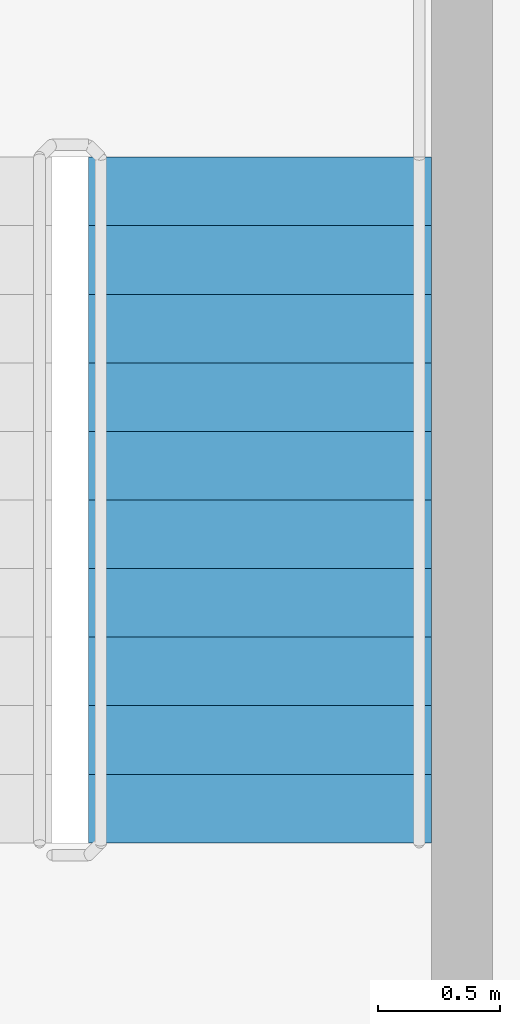
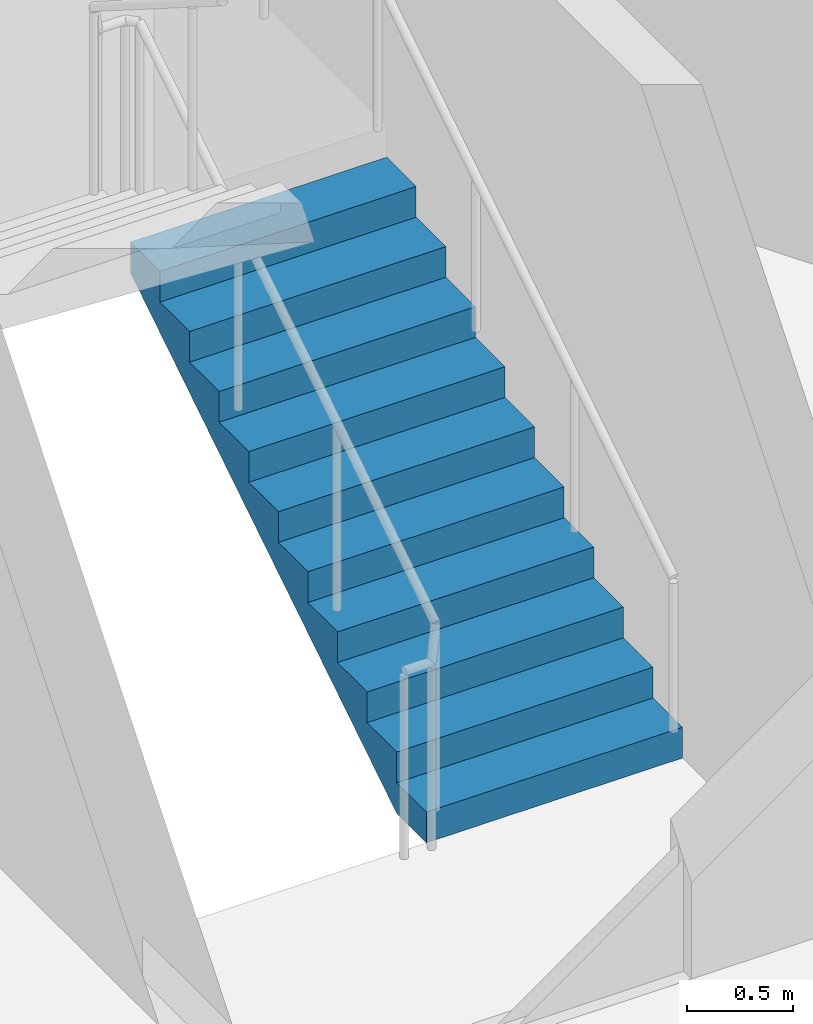
# One storey, part 11 of 12: 1 stair flight, 1 element without a shape of its own.
"""IFC4 building model written with IfcOpenShell, lengths in metres."""

from ifc_helpers import new_model, si_unit, direction, frame, origin, place, context, subcontext, project, spatial, polyline, outline, extrude, material, type_object, element, aggregate, save


model = new_model("IFC4")

# Units and contexts
model_context = context("Model", 3, precision=1e-05, world=origin(), true_north=direction((0.0, 1.0)))
body_context = subcontext(model_context, "Body", "Model", "MODEL_VIEW")
ifc_project = project(units=[si_unit("LENGTHUNIT", "METRE"), si_unit("AREAUNIT", "SQUARE_METRE"), si_unit("VOLUMEUNIT", "CUBIC_METRE"), si_unit("PLANEANGLEUNIT", "RADIAN"), si_unit("MASSUNIT", "GRAM", prefix="KILO")], contexts=[model_context])

# Site, building, storey
site_placement = place(None, origin())
site = spatial("IfcSite", under=ifc_project, at=site_placement, CompositionType="ELEMENT")
building_placement = place(site_placement, origin())
building = spatial("IfcBuilding", under=site, at=building_placement, Name="Tarnside Tower", CompositionType="ELEMENT")
storey_placement = place(building_placement, frame((0.0, 0.0, 310.800048828125)))
storey = spatial("IfcBuildingStorey", under=building, at=storey_placement, Name="L75", CompositionType="ELEMENT", Elevation=310.800048828125)

# Stair, stair flight
ifc_material = material(Name="Concrete C40/50", Category="concrete")
stair_type = type_object("IfcStairType", Name="Exit stair 1400 clear", PredefinedType="HALF_TURN_STAIR", material=ifc_material)
stair_placement = place(storey_placement, origin())
stair = element("IfcStair", 1, at=stair_placement, inside=storey, type_object=stair_type, Name="L75 Exit stair 1", PredefinedType="HALF_TURN_STAIR")
stair_flight_type = type_object("IfcStairFlightType", Name="Exit stair flight 1400", PredefinedType="STRAIGHT", material=ifc_material)
stair_flight_placement = place(storey_placement, frame((8.14990234375, -1.800048828125, 0.0), z_axis=(0.0, 0.0, 1.0), x_axis=(0.0, 1.0, 0.0)))
stair_flight = element("IfcStairFlight", 2, at=stair_flight_placement, type_object=stair_flight_type, Name="ST1 flight 1", NumberOfRisers=11, NumberOfTreads=10, PredefinedType="STRAIGHT", RiserHeight=0.177272727, TreadLength=0.28, context=body_context, shape_type="SweptSolid", body=[
    extrude(outline(polyline([(0.0, 0.0), (0.0, 0.17724609375), (0.280029296875, 0.17724609375), (0.280029296875, 0.3544921875), (0.56005859375, 0.3544921875), (0.56005859375, 0.53173828125), (0.840087890625, 0.53173828125), (0.840087890625, 0.708984375), (1.1201171875, 0.708984375), (1.1201171875, 0.886474609375), (1.39990234375, 0.886474609375), (1.39990234375, 1.063720703125), (1.679931640625, 1.063720703125), (1.679931640625, 1.240966796875), (1.9599609375, 1.240966796875), (1.9599609375, 1.418212890625), (2.239990234375, 1.418212890625), (2.239990234375, 1.595458984375), (2.52001953125, 1.595458984375), (2.52001953125, 1.772705078125), (2.800048828125, 1.772705078125), (2.800048828125, 1.949951171875), (2.800048828125, 1.59521484375), (0.2802734375, 0.0), (0.0, 0.0)])), frame((0.0, 0.699951171875, 0.0), z_axis=(0.0, -1.0, 0.0), x_axis=(1.0, 0.0, 0.0)), (0.0, 0.0, 1.0), 1.39990234375),
])
aggregate(stair, [stair_flight])

save(model, "model.ifc")
